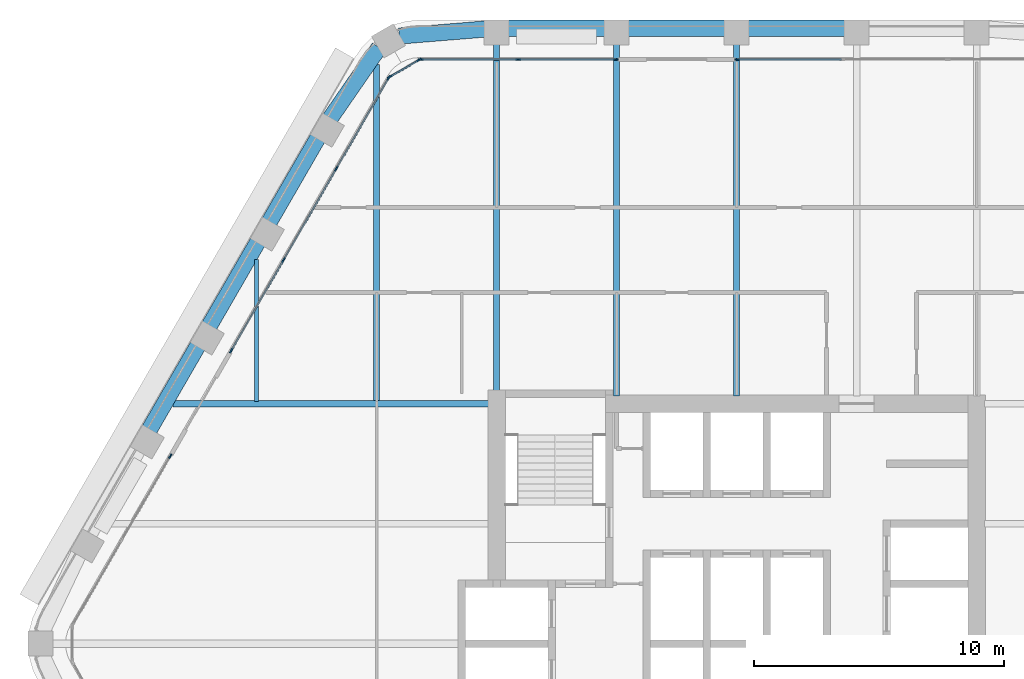
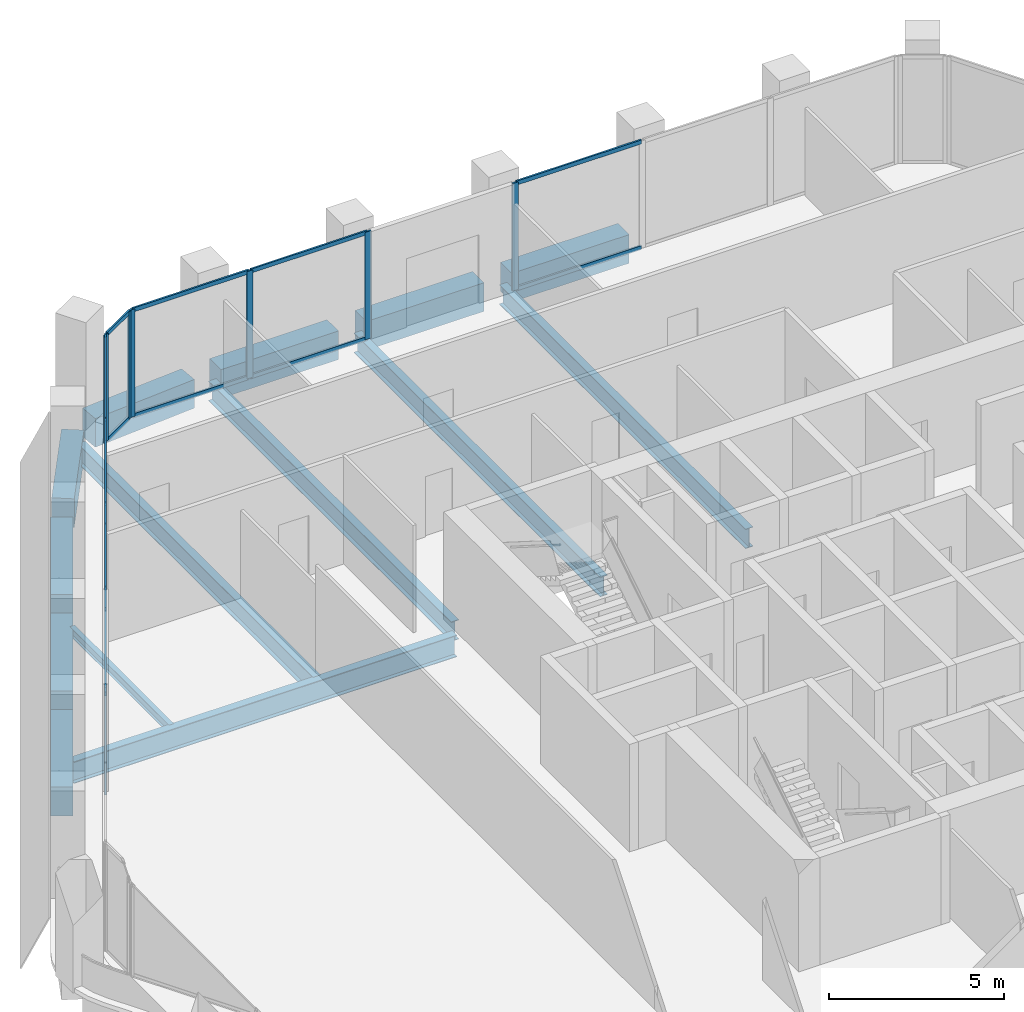
# One storey, part 5 of 15: 25 members, 14 beams, 5 elements without a shape of their own.
"""IFC4 building model written with IfcOpenShell, lengths in metres."""

from ifc_helpers import new_model, si_unit, direction, frame, origin, origin_2d, place, context, subcontext, project, spatial, rectangle, i_section, extrude, material, material_profile, profile_set, type_object, element, aggregate, save


model = new_model("IFC4")

# Units and contexts
model_context = context("Model", 3, precision=1e-05, world=origin(), true_north=direction((0.0, 1.0)))
body_context = subcontext(model_context, "Body", "Model", "MODEL_VIEW")
ifc_project = project(units=[si_unit("LENGTHUNIT", "METRE"), si_unit("AREAUNIT", "SQUARE_METRE"), si_unit("VOLUMEUNIT", "CUBIC_METRE"), si_unit("PLANEANGLEUNIT", "RADIAN"), si_unit("MASSUNIT", "GRAM", prefix="KILO")], contexts=[model_context])

# Site, building, storey
site_placement = place(None, origin())
site = spatial("IfcSite", under=ifc_project, at=site_placement, CompositionType="ELEMENT")
building_placement = place(site_placement, origin())
building = spatial("IfcBuilding", under=site, at=building_placement, Name="Kolab Exchange Tower", CompositionType="ELEMENT")
storey_placement = place(building_placement, frame((0.0, 0.0, 142.699951171875)))
storey = spatial("IfcBuildingStorey", under=building, at=storey_placement, Name="L28", CompositionType="ELEMENT", Elevation=142.699951171875)

# Beams
ifc_material_1 = material(Name="Steel S355", Category="steel")
ifc_material_profile_1 = material_profile(ifc_material_1, i_section(OverallWidth=0.1650390625, OverallDepth=0.31005859375, WebThickness=0.005859375, FlangeThickness=0.009765625, at=origin_2d()), Name="W310X39")
ifc_profile_set_1 = profile_set([ifc_material_profile_1], Name="Steel S355")
beam_type_1 = type_object("IfcBeamType", Name="FLOOR BEAM W310X39", PredefinedType="BEAM", material=ifc_profile_set_1)
beam_1_placement = place(storey_placement, frame((-19.199951171875, 9.693603515625, -0.304931640625), z_axis=(0.0, 1.0, 0.0), x_axis=(-1.0, 0.0, 0.0)))
element("IfcBeam", 1, at=beam_1_placement, inside=storey, type_object=beam_type_1, Name="beam/L28/fr/004", PredefinedType="BEAM", context=body_context, shape_type="SweptSolid", body=[
    extrude(i_section(OverallWidth=0.1650390625, OverallDepth=0.31005859375, WebThickness=0.005859375, FlangeThickness=0.009765625, at=origin_2d()), origin(), (0.0, 0.0, 1.0), 5.674072265625),
])
ifc_material_profile_2 = material_profile(ifc_material_1, i_section(OverallWidth=0.25390625, OverallDepth=0.68408203125, WebThickness=0.012451171875, FlangeThickness=0.018798828125, at=origin_2d()), Name="W690X140")
ifc_profile_set_2 = profile_set([ifc_material_profile_2], Name="Steel S355")
beam_type_2 = type_object("IfcBeamType", Name="FLOOR BEAM W690X140", PredefinedType="BEAM", material=ifc_profile_set_2)
beam_2_placement = place(storey_placement, frame((-14.39990234375, 9.693603515625, -0.491943359375), z_axis=(0.0, 1.0, 0.0), x_axis=(-1.0, 0.0, 0.0)))
element("IfcBeam", 2, at=beam_2_placement, inside=storey, type_object=beam_type_2, Name="beam/L28/fr/006", PredefinedType="BEAM", context=body_context, shape_type="SweptSolid", body=[
    extrude(i_section(OverallWidth=0.25390625, OverallDepth=0.68408203125, WebThickness=0.012451171875, FlangeThickness=0.018798828125, at=origin_2d()), origin(), (0.0, 0.0, 1.0), 13.462158203125),
])
beam_3_placement = place(storey_placement, frame((-9.60009765625, 10.110107421875, -0.491943359375), z_axis=(0.0, 1.0, 0.0), x_axis=(-1.0, 0.0, 0.0)))
element("IfcBeam", 3, at=beam_3_placement, inside=storey, type_object=beam_type_2, Name="beam/L28/fr/008", PredefinedType="BEAM", context=body_context, shape_type="SweptSolid", body=[
    extrude(i_section(OverallWidth=0.25390625, OverallDepth=0.68408203125, WebThickness=0.012451171875, FlangeThickness=0.018798828125, at=origin_2d()), origin(), (0.0, 0.0, 1.0), 13.871337890625),
])
for number, where, z_axis, x_axis, name in (
    (4, (-4.800048828125, 9.909912109375, -0.491943359375), (0.0, 1.0, 0.0), (-1.0, 0.0, 0.0), "beam/L28/fr/010"),
    (5, (0.0, 9.909912109375, -0.491943359375), (0.0, 1.0, 0.0), (-1.0, 0.0, 0.0), "beam/L28/fr/012"),
):
    element("IfcBeam", number, at=place(storey_placement, frame(where, z_axis=z_axis, x_axis=x_axis)), inside=storey, type_object=beam_type_2, Name=name, PredefinedType="BEAM", context=body_context, shape_type="SweptSolid", body=[
        extrude(i_section(OverallWidth=0.25390625, OverallDepth=0.68408203125, WebThickness=0.012451171875, FlangeThickness=0.018798828125, at=origin_2d()), origin(), (0.0, 0.0, 1.0), 14.071533203125),
    ])
ifc_material_profile_3 = material_profile(ifc_material_1, i_section(OverallWidth=0.26708984375, OverallDepth=0.761962890625, WebThickness=0.014404296875, FlangeThickness=0.021484375, at=origin_2d()), Name="W760X173")
ifc_profile_set_3 = profile_set([ifc_material_profile_3], Name="Steel S355")
beam_type_3 = type_object("IfcBeamType", Name="FLOOR GIRDER W760X173", PredefinedType="BEAM", material=ifc_profile_set_3)
beam_4_placement = place(storey_placement, frame((-22.546875, 9.60009765625, -0.531005859375), z_axis=(1.0, 0.0, 0.0), x_axis=(0.0, 1.0, 0.0)))
element("IfcBeam", 6, at=beam_4_placement, inside=storey, type_object=beam_type_3, Name="beam/L28/gd/001", PredefinedType="BEAM", context=body_context, shape_type="SweptSolid", body=[
    extrude(i_section(OverallWidth=0.26708984375, OverallDepth=0.761962890625, WebThickness=0.014404296875, FlangeThickness=0.021484375, at=origin_2d()), origin(), (0.0, 0.0, 1.0), 12.636962890625),
])
ifc_material_2 = material(Name="Concrete C60/75", Category="concrete")
ifc_material_profile_4 = material_profile(ifc_material_2, rectangle(XDim=0.64990234375, YDim=1.0, at=origin_2d()), Name="RC650X1000")
ifc_profile_set_4 = profile_set([ifc_material_profile_4], Name="Concrete C60/75")
beam_type_4 = type_object("IfcBeamType", Name="SPANDREL BEAM 650X1000 C60/75", PredefinedType="BEAM", material=ifc_profile_set_4)
beam_5_placement = place(storey_placement, frame((-13.493896484375, 24.2998046875, -0.64990234375), z_axis=(0.996708497182, 0.081068931445, 0.0), x_axis=(-0.081068931445, 0.996708497182, 0.0)))
element("IfcBeam", 7, at=beam_5_placement, inside=storey, type_object=beam_type_4, Name="beam/L28/sp/F1-01", PredefinedType="BEAM", context=body_context, shape_type="SweptSolid", body=[
    extrude(rectangle(XDim=0.64990234375, YDim=1.0, at=origin_2d()), origin(), (0.0, 0.0, 1.0), 3.445068359375),
])
beam_6_placement = place(storey_placement, frame((-9.139892578125, 24.616455078125, -0.64990234375), z_axis=(1.0, 0.0, 0.0), x_axis=(0.0, 1.0, 0.0)))
element("IfcBeam", 8, at=beam_6_placement, inside=storey, type_object=beam_type_4, Name="beam/L28/sp/F1-02", PredefinedType="BEAM", context=body_context, shape_type="SweptSolid", body=[
    extrude(rectangle(XDim=0.64990234375, YDim=1.0, at=origin_2d()), origin(), (0.0, 0.0, 1.0), 3.8798828125),
])
for number, where, z_axis, x_axis, name in (
    (9, (-4.340087890625, 24.616455078125, -0.64990234375), (1.0, 0.0, 0.0), (0.0, 1.0, 0.0), "beam/L28/sp/F1-03"),
    (10, (0.4599609375, 24.616455078125, -0.64990234375), (1.0, 0.0, 0.0), (0.0, 1.0, 0.0), "beam/L28/sp/F1-04"),
):
    element("IfcBeam", number, at=place(storey_placement, frame(where, z_axis=z_axis, x_axis=x_axis)), inside=storey, type_object=beam_type_4, Name=name, PredefinedType="BEAM", context=body_context, shape_type="SweptSolid", body=[
        extrude(rectangle(XDim=0.64990234375, YDim=1.0, at=origin_2d()), origin(), (0.0, 0.0, 1.0), 3.880126953125),
    ])
beam_7_placement = place(storey_placement, frame((-23.488525390625, 8.5498046875, -0.64990234375), z_axis=(0.499996613652, 0.866027358884, 0.0), x_axis=(-0.866027358884, 0.499996613652, 0.0)))
element("IfcBeam", 11, at=beam_7_placement, inside=storey, type_object=beam_type_4, Name="beam/L28/sp/F6-03", PredefinedType="BEAM", context=body_context, shape_type="SweptSolid", body=[
    extrude(rectangle(XDim=0.64990234375, YDim=1.0, at=origin_2d()), origin(), (0.0, 0.0, 1.0), 3.8798828125),
])
beam_8_placement = place(storey_placement, frame((-21.088623046875, 12.70654296875, -0.64990234375), z_axis=(0.50001655835, 0.866015843605, 0.0), x_axis=(-0.866015843605, 0.50001655835, 0.0)))
element("IfcBeam", 12, at=beam_8_placement, inside=storey, type_object=beam_type_4, Name="beam/L28/sp/F6-04", PredefinedType="BEAM", context=body_context, shape_type="SweptSolid", body=[
    extrude(rectangle(XDim=0.64990234375, YDim=1.0, at=origin_2d()), origin(), (0.0, 0.0, 1.0), 3.880126953125),
])
beam_9_placement = place(storey_placement, frame((-18.6884765625, 16.863525390625, -0.64990234375), z_axis=(0.499996613652, 0.866027358884, 0.0), x_axis=(-0.866027358884, 0.499996613652, 0.0)))
element("IfcBeam", 13, at=beam_9_placement, inside=storey, type_object=beam_type_4, Name="beam/L28/sp/F6-05", PredefinedType="BEAM", context=body_context, shape_type="SweptSolid", body=[
    extrude(rectangle(XDim=0.64990234375, YDim=1.0, at=origin_2d()), origin(), (0.0, 0.0, 1.0), 3.8798828125),
])
beam_10_placement = place(storey_placement, frame((-16.256103515625, 21.001953125, -0.64990234375), z_axis=(0.568572281073, 0.822633309073, 0.0), x_axis=(-0.822633309073, 0.568572281073, 0.0)))
element("IfcBeam", 14, at=beam_10_placement, inside=storey, type_object=beam_type_4, Name="beam/L28/sp/F6-06", PredefinedType="BEAM", context=body_context, shape_type="SweptSolid", body=[
    extrude(rectangle(XDim=0.64990234375, YDim=1.0, at=origin_2d()), origin(), (0.0, 0.0, 1.0), 3.445068359375),
])

# Curtain wall, members
ifc_material_3 = material(Name="Aluminium EN AW-6063 T6", Category="aluminium")
curtain_wall_type = type_object("IfcCurtainWallType", Name="UNITISED UPPER MID ZONE CURTAIN WALL", PredefinedType="NOTDEFINED", material=ifc_material_3)
curtain_wall_1_placement = place(storey_placement, origin())
curtain_wall_1 = element("IfcCurtainWall", 15, at=curtain_wall_1_placement, inside=storey, type_object=curtain_wall_type, Name="cw/L28/F1-1", PredefinedType="NOTDEFINED")
ifc_material_profile_5 = material_profile(ifc_material_3, rectangle(XDim=0.06005859375, YDim=0.199951171875, at=origin_2d()), Name="RECT 60X200")
ifc_profile_set_5 = profile_set([ifc_material_profile_5], Name="Aluminium EN AW-6063 T6")
member_type_1 = type_object("IfcMemberType", Name="UNITISED UPPER MID ZONE MULLION 60 X 200", PredefinedType="MULLION", material=ifc_profile_set_5)
member_1_placement = place(storey_placement, frame((-12.637939453125, 23.361572265625, 0.0), z_axis=(0.0, 0.0, 1.0), x_axis=(0.0, 1.0, 0.0)))
member_1 = element("IfcMember", 16, at=member_1_placement, type_object=member_type_1, Name="CW3 mullion 1", PredefinedType="MULLION", context=body_context, shape_type="SweptSolid", body=[
    extrude(rectangle(XDim=0.06005859375, YDim=0.199951171875, at=origin_2d()), origin(), (0.0, 0.0, 1.0), 3.75),
])
member_2_placement = place(storey_placement, frame((-8.73388671875, 23.361572265625, 0.0), z_axis=(0.0, 0.0, 1.0), x_axis=(0.0, 1.0, 0.0)))
member_2 = element("IfcMember", 17, at=member_2_placement, type_object=member_type_1, Name="CW3 mullion 2", PredefinedType="MULLION", context=body_context, shape_type="SweptSolid", body=[
    extrude(rectangle(XDim=0.06005859375, YDim=0.199951171875, at=origin_2d()), origin(), (0.0, 0.0, 1.0), 3.75),
])
member_3_placement = place(storey_placement, frame((-4.830078125, 23.361572265625, 0.0), z_axis=(0.0, 0.0, 1.0), x_axis=(0.0, 1.0, 0.0)))
member_3 = element("IfcMember", 18, at=member_3_placement, type_object=member_type_1, Name="CW3 mullion 3", PredefinedType="MULLION", context=body_context, shape_type="SweptSolid", body=[
    extrude(rectangle(XDim=0.06005859375, YDim=0.199951171875, at=origin_2d()), origin(), (0.0, 0.0, 1.0), 3.75),
])

# Curtain wall, member
curtain_wall_2_placement = place(storey_placement, origin())
curtain_wall_2 = element("IfcCurtainWall", 19, at=curtain_wall_2_placement, inside=storey, type_object=curtain_wall_type, Name="cw/L28/F1-2", PredefinedType="NOTDEFINED")
member_4_placement = place(storey_placement, frame((0.030029296875, 23.361572265625, 0.0), z_axis=(0.0, 0.0, 1.0), x_axis=(0.0, 1.0, 0.0)))
member_4 = element("IfcMember", 20, at=member_4_placement, type_object=member_type_1, Name="CW3 mullion 1", PredefinedType="MULLION", context=body_context, shape_type="SweptSolid", body=[
    extrude(rectangle(XDim=0.06005859375, YDim=0.199951171875, at=origin_2d()), origin(), (0.0, 0.0, 1.0), 3.75),
])

curtain_wall_3_placement = place(storey_placement, origin())
curtain_wall_3 = element("IfcCurtainWall", 21, at=curtain_wall_3_placement, inside=storey, type_object=curtain_wall_type, Name="cw/L28/F6-1", PredefinedType="NOTDEFINED")
member_5_placement = place(storey_placement, frame((-22.646728515625, 7.497802734375, 0.0), z_axis=(0.0, 0.0, 1.0), x_axis=(-0.866025440524, 0.499999936366, 0.0)))
member_5 = element("IfcMember", 22, at=member_5_placement, type_object=member_type_1, Name="CW3 mullion 3", PredefinedType="MULLION", context=body_context, shape_type="SweptSolid", body=[
    extrude(rectangle(XDim=0.06005859375, YDim=0.199951171875, at=origin_2d()), origin(), (0.0, 0.0, 1.0), 3.75),
])
aggregate(curtain_wall_3, [member_5])

# Curtain wall, members
curtain_wall_4_placement = place(storey_placement, origin())
curtain_wall_4 = element("IfcCurtainWall", 23, at=curtain_wall_4_placement, inside=storey, type_object=curtain_wall_type, Name="cw/L28/F6-2", PredefinedType="NOTDEFINED")
member_6_placement = place(storey_placement, frame((-20.216796875, 11.706787109375, 0.0), z_axis=(0.0, 0.0, 1.0), x_axis=(-0.866025393644, 0.500000017564, 0.0)))
member_6 = element("IfcMember", 24, at=member_6_placement, type_object=member_type_1, Name="CW3 mullion 1", PredefinedType="MULLION", context=body_context, shape_type="SweptSolid", body=[
    extrude(rectangle(XDim=0.06005859375, YDim=0.199951171875, at=origin_2d()), origin(), (0.0, 0.0, 1.0), 3.75),
])
member_7_placement = place(storey_placement, frame((-18.120361328125, 15.337646484375, 0.0), z_axis=(0.0, 0.0, 1.0), x_axis=(-0.866025393644, 0.500000017564, 0.0)))
member_7 = element("IfcMember", 25, at=member_7_placement, type_object=member_type_1, Name="CW3 mullion 2", PredefinedType="MULLION", context=body_context, shape_type="SweptSolid", body=[
    extrude(rectangle(XDim=0.06005859375, YDim=0.199951171875, at=origin_2d()), origin(), (0.0, 0.0, 1.0), 3.75),
])
member_8_placement = place(storey_placement, frame((-16.009033203125, 18.99462890625, 0.0), z_axis=(0.0, 0.0, 1.0), x_axis=(-0.866025393644, 0.500000017564, 0.0)))
member_8 = element("IfcMember", 26, at=member_8_placement, type_object=member_type_1, Name="CW3 mullion 3", PredefinedType="MULLION", context=body_context, shape_type="SweptSolid", body=[
    extrude(rectangle(XDim=0.06005859375, YDim=0.199951171875, at=origin_2d()), origin(), (0.0, 0.0, 1.0), 3.75),
])
member_9_placement = place(storey_placement, frame((-13.91259765625, 22.62548828125, 0.0), z_axis=(0.0, 0.0, 1.0), x_axis=(-0.866025393644, 0.500000017564, 0.0)))
member_9 = element("IfcMember", 27, at=member_9_placement, type_object=member_type_1, Name="CW3 mullion 4", PredefinedType="MULLION", context=body_context, shape_type="SweptSolid", body=[
    extrude(rectangle(XDim=0.06005859375, YDim=0.199951171875, at=origin_2d()), origin(), (0.0, 0.0, 1.0), 3.75),
])

curtain_wall_5_placement = place(storey_placement, origin())
curtain_wall_5 = element("IfcCurtainWall", 28, at=curtain_wall_5_placement, inside=storey, type_object=curtain_wall_type, Name="cw/L28/F6F1-corner", PredefinedType="NOTDEFINED")
member_10_placement = place(storey_placement, frame((-13.871826171875, 22.66650390625, 0.0), z_axis=(0.0, 0.0, 1.0), x_axis=(-0.50000002237, 0.866025390869, 0.0)))
member_10 = element("IfcMember", 29, at=member_10_placement, type_object=member_type_1, Name="CW3 mullion 1", PredefinedType="MULLION", context=body_context, shape_type="SweptSolid", body=[
    extrude(rectangle(XDim=0.06005859375, YDim=0.199951171875, at=origin_2d()), origin(), (0.0, 0.0, 1.0), 3.75),
])
member_11_placement = place(storey_placement, frame((-12.69384765625, 23.346435546875, 0.0), z_axis=(0.0, 0.0, 1.0), x_axis=(-0.50000002237, 0.866025390869, 0.0)))
member_11 = element("IfcMember", 30, at=member_11_placement, type_object=member_type_1, Name="CW3 mullion 2", PredefinedType="MULLION", context=body_context, shape_type="SweptSolid", body=[
    extrude(rectangle(XDim=0.06005859375, YDim=0.199951171875, at=origin_2d()), origin(), (0.0, 0.0, 1.0), 3.75),
])

# Member
ifc_material_profile_6 = material_profile(ifc_material_3, rectangle(XDim=0.06005859375, YDim=0.139892578125, at=origin_2d()), Name="RECT 60X140")
ifc_profile_set_6 = profile_set([ifc_material_profile_6], Name="Aluminium EN AW-6063 T6")
member_type_2 = type_object("IfcMemberType", Name="UNITISED UPPER MID ZONE TRANSOM 60 X 140", PredefinedType="USERDEFINED", material=ifc_profile_set_6)
member_12_placement = place(storey_placement, frame((-12.60791015625, 23.361572265625, 0.030029296875), z_axis=(1.0, 0.0, 0.0), x_axis=(0.0, 1.0, 0.0)))
member_12 = element("IfcMember", 31, at=member_12_placement, type_object=member_type_2, Name="CW3 transom 1.1", ObjectType="TRANSOM", PredefinedType="USERDEFINED", context=body_context, shape_type="SweptSolid", body=[
    extrude(rectangle(XDim=0.06005859375, YDim=0.139892578125, at=origin_2d()), origin(), (0.0, 0.0, 1.0), 3.843994140625),
])

member_13_placement = place(storey_placement, frame((-12.60791015625, 23.361572265625, 3.719970703125), z_axis=(1.0, 0.0, 0.0), x_axis=(0.0, 1.0, 0.0)))
member_13 = element("IfcMember", 32, at=member_13_placement, type_object=member_type_2, Name="CW3 transom 1.2", ObjectType="TRANSOM", PredefinedType="USERDEFINED", context=body_context, shape_type="SweptSolid", body=[
    extrude(rectangle(XDim=0.06005859375, YDim=0.139892578125, at=origin_2d()), origin(), (0.0, 0.0, 1.0), 3.843994140625),
])

member_14_placement = place(storey_placement, frame((-8.703857421875, 23.361572265625, 0.030029296875), z_axis=(1.0, 0.0, 0.0), x_axis=(0.0, 1.0, 0.0)))
member_14 = element("IfcMember", 33, at=member_14_placement, type_object=member_type_2, Name="CW3 transom 2.1", ObjectType="TRANSOM", PredefinedType="USERDEFINED", context=body_context, shape_type="SweptSolid", body=[
    extrude(rectangle(XDim=0.06005859375, YDim=0.139892578125, at=origin_2d()), origin(), (0.0, 0.0, 1.0), 3.84375),
])

member_15_placement = place(storey_placement, frame((-8.703857421875, 23.361572265625, 3.719970703125), z_axis=(1.0, 0.0, 0.0), x_axis=(0.0, 1.0, 0.0)))
member_15 = element("IfcMember", 34, at=member_15_placement, type_object=member_type_2, Name="CW3 transom 2.2", ObjectType="TRANSOM", PredefinedType="USERDEFINED", context=body_context, shape_type="SweptSolid", body=[
    extrude(rectangle(XDim=0.06005859375, YDim=0.139892578125, at=origin_2d()), origin(), (0.0, 0.0, 1.0), 3.84375),
])

aggregate(curtain_wall_1, [member_1, member_2, member_3, member_12, member_13, member_14, member_15])

member_16_placement = place(storey_placement, frame((0.06005859375, 23.361572265625, 0.030029296875), z_axis=(1.0, 0.0, 0.0), x_axis=(0.0, 1.0, 0.0)))
member_16 = element("IfcMember", 35, at=member_16_placement, type_object=member_type_2, Name="CW3 transom 1.1", ObjectType="TRANSOM", PredefinedType="USERDEFINED", context=body_context, shape_type="SweptSolid", body=[
    extrude(rectangle(XDim=0.06005859375, YDim=0.139892578125, at=origin_2d()), origin(), (0.0, 0.0, 1.0), 4.132568359375),
])

member_17_placement = place(storey_placement, frame((0.06005859375, 23.361572265625, 3.719970703125), z_axis=(1.0, 0.0, 0.0), x_axis=(0.0, 1.0, 0.0)))
member_17 = element("IfcMember", 36, at=member_17_placement, type_object=member_type_2, Name="CW3 transom 1.2", ObjectType="TRANSOM", PredefinedType="USERDEFINED", context=body_context, shape_type="SweptSolid", body=[
    extrude(rectangle(XDim=0.06005859375, YDim=0.139892578125, at=origin_2d()), origin(), (0.0, 0.0, 1.0), 4.132568359375),
])

aggregate(curtain_wall_2, [member_4, member_16, member_17])

member_18_placement = place(storey_placement, frame((-20.20166015625, 11.732666015625, 0.030029296875), z_axis=(0.500001996123, 0.866024251319, 0.0), x_axis=(-0.866024251319, 0.500001996123, 0.0)))
member_18 = element("IfcMember", 37, at=member_18_placement, type_object=member_type_2, Name="CW3 transom 1.1", ObjectType="TRANSOM", PredefinedType="USERDEFINED", context=body_context, shape_type="SweptSolid", body=[
    extrude(rectangle(XDim=0.06005859375, YDim=0.139892578125, at=origin_2d()), origin(), (0.0, 0.0, 1.0), 4.1328125),
])

member_19_placement = place(storey_placement, frame((-20.20166015625, 11.732666015625, 3.719970703125), z_axis=(0.500001996123, 0.866024251319, 0.0), x_axis=(-0.866024251319, 0.500001996123, 0.0)))
member_19 = element("IfcMember", 38, at=member_19_placement, type_object=member_type_2, Name="CW3 transom 1.2", ObjectType="TRANSOM", PredefinedType="USERDEFINED", context=body_context, shape_type="SweptSolid", body=[
    extrude(rectangle(XDim=0.06005859375, YDim=0.139892578125, at=origin_2d()), origin(), (0.0, 0.0, 1.0), 4.1328125),
])

member_20_placement = place(storey_placement, frame((-18.10546875, 15.36376953125, 0.030029296875), z_axis=(0.500037208726, 0.86600392025, 0.0), x_axis=(-0.86600392025, 0.500037208726, 0.0)))
member_20 = element("IfcMember", 39, at=member_20_placement, type_object=member_type_2, Name="CW3 transom 2.1", ObjectType="TRANSOM", PredefinedType="USERDEFINED", context=body_context, shape_type="SweptSolid", body=[
    extrude(rectangle(XDim=0.06005859375, YDim=0.139892578125, at=origin_2d()), origin(), (0.0, 0.0, 1.0), 4.162841796875),
])

member_21_placement = place(storey_placement, frame((-18.10546875, 15.36376953125, 3.719970703125), z_axis=(0.500037208726, 0.86600392025, 0.0), x_axis=(-0.86600392025, 0.500037208726, 0.0)))
member_21 = element("IfcMember", 40, at=member_21_placement, type_object=member_type_2, Name="CW3 transom 2.2", ObjectType="TRANSOM", PredefinedType="USERDEFINED", context=body_context, shape_type="SweptSolid", body=[
    extrude(rectangle(XDim=0.06005859375, YDim=0.139892578125, at=origin_2d()), origin(), (0.0, 0.0, 1.0), 4.162841796875),
])

member_22_placement = place(storey_placement, frame((-15.994140625, 19.0205078125, 0.030029296875), z_axis=(0.500001996123, 0.866024251319, 0.0), x_axis=(-0.866024251319, 0.500001996123, 0.0)))
member_22 = element("IfcMember", 41, at=member_22_placement, type_object=member_type_2, Name="CW3 transom 3.1", ObjectType="TRANSOM", PredefinedType="USERDEFINED", context=body_context, shape_type="SweptSolid", body=[
    extrude(rectangle(XDim=0.06005859375, YDim=0.139892578125, at=origin_2d()), origin(), (0.0, 0.0, 1.0), 4.1328125),
])

member_23_placement = place(storey_placement, frame((-15.994140625, 19.0205078125, 3.719970703125), z_axis=(0.500001996123, 0.866024251319, 0.0), x_axis=(-0.866024251319, 0.500001996123, 0.0)))
member_23 = element("IfcMember", 42, at=member_23_placement, type_object=member_type_2, Name="CW3 transom 3.2", ObjectType="TRANSOM", PredefinedType="USERDEFINED", context=body_context, shape_type="SweptSolid", body=[
    extrude(rectangle(XDim=0.06005859375, YDim=0.139892578125, at=origin_2d()), origin(), (0.0, 0.0, 1.0), 4.1328125),
])

aggregate(curtain_wall_4, [member_6, member_7, member_8, member_9, member_18, member_19, member_20, member_21, member_22, member_23])

member_24_placement = place(storey_placement, frame((-13.845703125, 22.681640625, 0.030029296875), z_axis=(0.86603858612, 0.49997716683, 0.0), x_axis=(-0.49997716683, 0.86603858612, 0.0)))
member_24 = element("IfcMember", 43, at=member_24_placement, type_object=member_type_2, Name="CW3 transom 1.1", ObjectType="TRANSOM", PredefinedType="USERDEFINED", context=body_context, shape_type="SweptSolid", body=[
    extrude(rectangle(XDim=0.06005859375, YDim=0.139892578125, at=origin_2d()), origin(), (0.0, 0.0, 1.0), 1.2998046875),
])

member_25_placement = place(storey_placement, frame((-13.845703125, 22.681640625, 3.719970703125), z_axis=(0.86603858612, 0.49997716683, 0.0), x_axis=(-0.49997716683, 0.86603858612, 0.0)))
member_25 = element("IfcMember", 44, at=member_25_placement, type_object=member_type_2, Name="CW3 transom 1.2", ObjectType="TRANSOM", PredefinedType="USERDEFINED", context=body_context, shape_type="SweptSolid", body=[
    extrude(rectangle(XDim=0.06005859375, YDim=0.139892578125, at=origin_2d()), origin(), (0.0, 0.0, 1.0), 1.2998046875),
])

aggregate(curtain_wall_5, [member_10, member_11, member_24, member_25])

save(model, "model.ifc")
